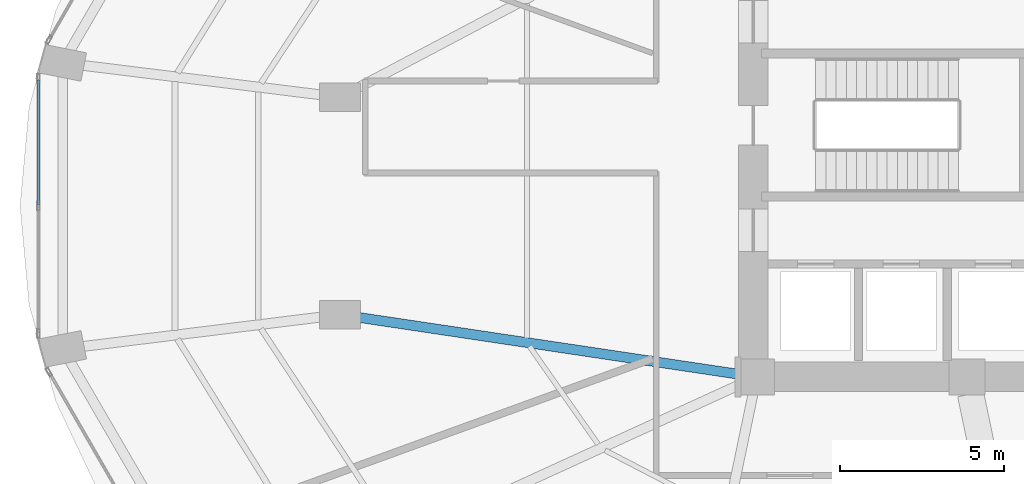
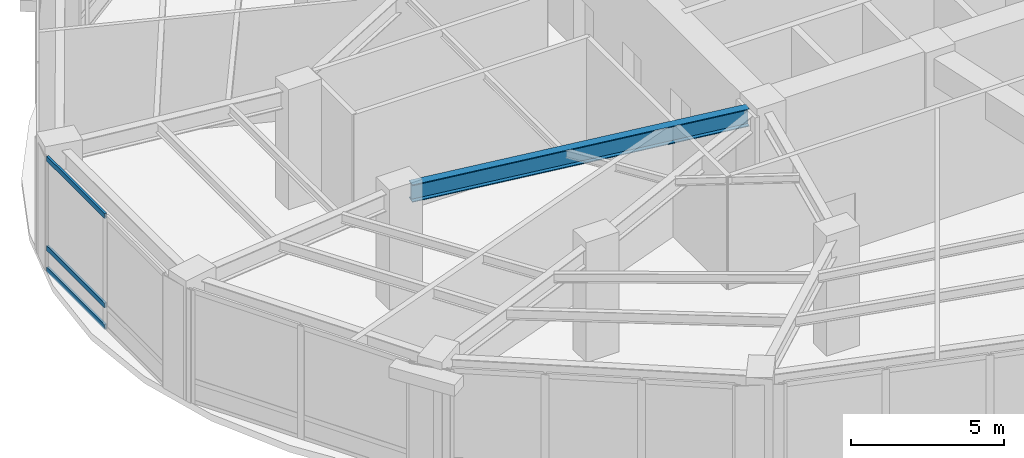
# One storey, part 7 of 24: 3 members, 1 beam, 1 element without a shape of its own.
"""IFC4 building model written with IfcOpenShell, lengths in metres."""

from ifc_helpers import new_model, si_unit, direction, frame, origin, origin_2d, place, context, subcontext, project, spatial, hollow_rectangle, i_section, extrude, material, layer, layer_set, material_profile, profile_set, type_object, element, aggregate, save


model = new_model("IFC4")

# Units and contexts
model_context = context("Model", 3, precision=1e-05, world=origin(), true_north=direction((0.0, 1.0)))
body_context = subcontext(model_context, "Body", "Model", "MODEL_VIEW")
ifc_project = project(units=[si_unit("LENGTHUNIT", "METRE"), si_unit("AREAUNIT", "SQUARE_METRE"), si_unit("VOLUMEUNIT", "CUBIC_METRE"), si_unit("PLANEANGLEUNIT", "RADIAN"), si_unit("MASSUNIT", "GRAM", prefix="KILO")], contexts=[model_context])

# Site, building, storey
site_placement = place(None, origin())
site = spatial("IfcSite", under=ifc_project, at=site_placement, CompositionType="ELEMENT")
building_placement = place(site_placement, origin())
building = spatial("IfcBuilding", under=site, at=building_placement, Name="Lazwardi Medical Tower", CompositionType="ELEMENT")
storey_placement = place(building_placement, frame((0.0, 0.0, 15.60009765625)))
storey = spatial("IfcBuildingStorey", under=building, at=storey_placement, Name="L03", CompositionType="ELEMENT", Elevation=15.60009765625)

# Beam
ifc_material_1 = material(Name="Steel S355", Category="steel")
ifc_material_profile_1 = material_profile(ifc_material_1, i_section(OverallWidth=0.300048828125, OverallDepth=0.699951171875, WebThickness=0.01708984375, FlangeThickness=0.031982421875, at=origin_2d()), Name="HEB 700")
ifc_profile_set_1 = profile_set([ifc_material_profile_1], Name="Steel S355")
beam_type = type_object("IfcBeamType", Name="BM-RG-P1", PredefinedType="BEAM", material=ifc_profile_set_1)
beam_placement = place(storey_placement, frame((14.132568359375, 22.23486328125, 4.169921875), z_axis=(0.988996622553, -0.147938097117, 0.0), x_axis=(0.147938097117, 0.988996622553, 0.0)))
element("IfcBeam", 1, at=beam_placement, inside=storey, type_object=beam_type, Name="Radial girder RG-01 R13B L03", PredefinedType="BEAM", context=body_context, shape_type="SweptSolid", body=[
    extrude(i_section(OverallWidth=0.300048828125, OverallDepth=0.699951171875, WebThickness=0.01708984375, FlangeThickness=0.031982421875, at=origin_2d()), origin(), (0.0, 0.0, 1.0), 11.868896484375),
])

# Curtain wall, members
ifc_material_2 = material(Name="Anodised bronze aluminium and solar control glazing", Category="aluminium")
ifc_layer = layer(ifc_material_2, 0.219970703125)
ifc_layer_set = layer_set([ifc_layer], Name="Anodised bronze aluminium and solar control glazing")
curtain_wall_type = type_object("IfcCurtainWallType", Name="CW-SYS-01", PredefinedType="NOTDEFINED", material=ifc_layer_set)
curtain_wall_placement = place(storey_placement, origin())
curtain_wall = element("IfcCurtainWall", 2, at=curtain_wall_placement, inside=storey, type_object=curtain_wall_type, Name="L03 Unitised bronze curtain wall CW-01", PredefinedType="NOTDEFINED")
ifc_material_3 = material(Name="Anodised bronze aluminium", Category="aluminium")
ifc_material_profile_2 = material_profile(ifc_material_3, hollow_rectangle(XDim=0.0849609375, YDim=0.199951171875, WallThickness=0.00439453125, at=origin_2d()), Name="ALU-TRANSOM 200x85x4.5")
ifc_profile_set_2 = profile_set([ifc_material_profile_2], Name="Anodised bronze aluminium")
member_type = type_object("IfcMemberType", Name="CW-TRN-02", PredefinedType="USERDEFINED", material=ifc_profile_set_2)
member_1_placement = place(storey_placement, frame((4.560302734375, 29.43408203125, 0.04248046875), z_axis=(0.0, -1.0, 0.0), x_axis=(1.0, 0.0, 0.0)))
member_1 = element("IfcMember", 3, at=member_1_placement, type_object=member_type, Name="CW-01 transom 1.1", ObjectType="TRANSOM", PredefinedType="USERDEFINED", context=body_context, shape_type="SweptSolid", body=[
    extrude(hollow_rectangle(XDim=0.0849609375, YDim=0.199951171875, WallThickness=0.00439453125, at=origin_2d()), origin(), (0.0, 0.0, 1.0), 3.79150390625),
])
member_2_placement = place(storey_placement, frame((4.560302734375, 29.43408203125, 0.89990234375), z_axis=(0.0, -1.0, 0.0), x_axis=(1.0, 0.0, 0.0)))
member_2 = element("IfcMember", 4, at=member_2_placement, type_object=member_type, Name="CW-01 transom 1.2", ObjectType="TRANSOM", PredefinedType="USERDEFINED", context=body_context, shape_type="SweptSolid", body=[
    extrude(hollow_rectangle(XDim=0.0849609375, YDim=0.199951171875, WallThickness=0.00439453125, at=origin_2d()), origin(), (0.0, 0.0, 1.0), 3.79150390625),
])
member_3_placement = place(storey_placement, frame((4.560302734375, 29.43408203125, 4.477294921875), z_axis=(0.0, -1.0, 0.0), x_axis=(1.0, 0.0, 0.0)))
member_3 = element("IfcMember", 5, at=member_3_placement, type_object=member_type, Name="CW-01 transom 1.3", ObjectType="TRANSOM", PredefinedType="USERDEFINED", context=body_context, shape_type="SweptSolid", body=[
    extrude(hollow_rectangle(XDim=0.0849609375, YDim=0.199951171875, WallThickness=0.00439453125, at=origin_2d()), origin(), (0.0, 0.0, 1.0), 3.79150390625),
])
aggregate(curtain_wall, [member_1, member_2, member_3])

save(model, "model.ifc")
